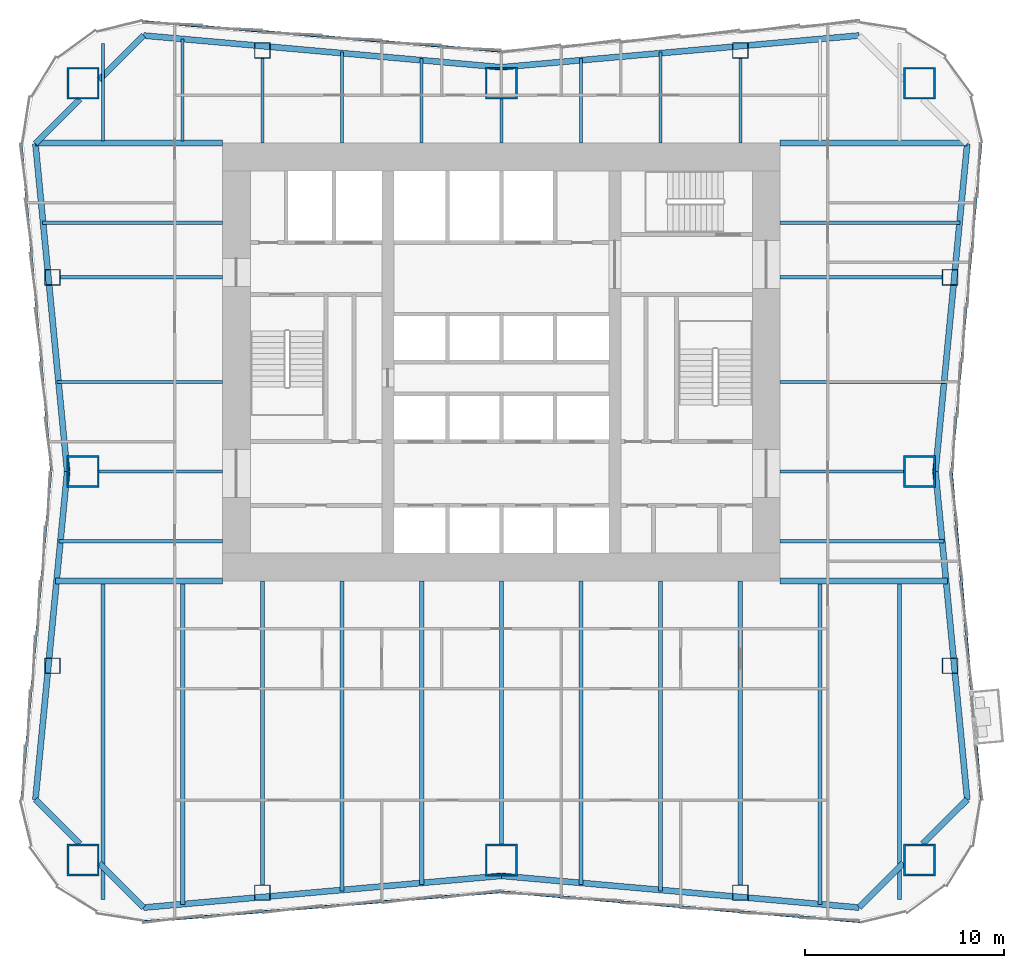
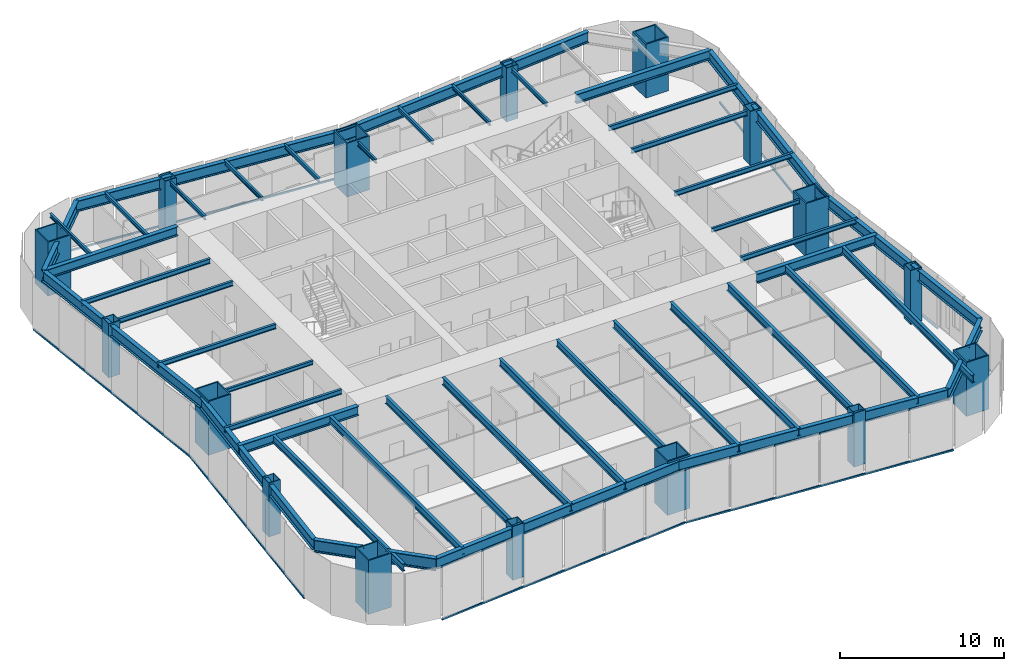
# One storey, part 1 of 9: 48 beams, 16 columns, 8 members, 4 elements without a shape of their own.
"""IFC4 building model written with IfcOpenShell, lengths in metres."""

from ifc_helpers import new_model, si_unit, direction, frame, origin, origin_2d, place, context, subcontext, project, spatial, rectangle, hollow_rectangle, i_section, extrude, material, material_profile, profile_set, type_object, element, aggregate, save


model = new_model("IFC4")

# Units and contexts
model_context = context("Model", 3, precision=1e-05, world=origin(), true_north=direction((0.0, 1.0)))
body_context = subcontext(model_context, "Body", "Model", "MODEL_VIEW")
ifc_project = project(units=[si_unit("LENGTHUNIT", "METRE"), si_unit("AREAUNIT", "SQUARE_METRE"), si_unit("VOLUMEUNIT", "CUBIC_METRE"), si_unit("PLANEANGLEUNIT", "RADIAN"), si_unit("MASSUNIT", "GRAM", prefix="KILO")], contexts=[model_context])

# Site, building, storey
site_placement = place(None, origin())
site = spatial("IfcSite", under=ifc_project, at=site_placement, CompositionType="ELEMENT")
building_placement = place(site_placement, origin())
building = spatial("IfcBuilding", under=site, at=building_placement, Name="Verdant Reach Tower", CompositionType="ELEMENT")
storey_placement = place(building_placement, frame((0.0, 0.0, 30.0)))
storey = spatial("IfcBuildingStorey", under=building, at=storey_placement, Name="L06", CompositionType="ELEMENT", Elevation=30.0)

# Columns
ifc_material_1 = material(Name="Steel S460", Category="steel")
ifc_material_profile_1 = material_profile(ifc_material_1, hollow_rectangle(XDim=1.60009765625, YDim=1.60009765625, WallThickness=0.090087890625, at=origin_2d()), Name="WB 1600x1600x90")
ifc_profile_set_1 = profile_set([ifc_material_profile_1], Name="Steel S460")
column_type_1 = type_object("IfcColumnType", Name="ST-COL-WB1600x1600x90", PredefinedType="COLUMN", material=ifc_profile_set_1)
for number, where, z_axis, x_axis, name in (
    (1, (-21.0, 42.0, 0.0), (0.0, 0.0, 1.0), (1.0, 0.0, 0.0), "Mega column north-west, L06"),
    (2, (0.0, 42.0, 0.0), (0.0, 0.0, 1.0), (1.0, 0.0, 0.0), "Mega column north, L06"),
    (3, (21.0, 42.0, 0.0), (0.0, 0.0, 1.0), (1.0, 0.0, 0.0), "Mega column north-east, L06"),
    (4, (21.0, 22.5, 0.0), (0.0, 0.0, 1.0), (1.0, 0.0, 0.0), "Mega column east, L06"),
    (5, (21.0, 3.0, 0.0), (0.0, 0.0, 1.0), (1.0, 0.0, 0.0), "Mega column south-east, L06"),
    (6, (0.0, 3.0, 0.0), (0.0, 0.0, 1.0), (1.0, 0.0, 0.0), "Mega column south, L06"),
    (7, (-21.0, 3.0, 0.0), (0.0, 0.0, 1.0), (1.0, 0.0, 0.0), "Mega column south-west, L06"),
    (8, (-21.0, 22.5, 0.0), (0.0, 0.0, 1.0), (1.0, 0.0, 0.0), "Mega column west, L06"),
):
    element("IfcColumn", number, at=place(storey_placement, frame(where, z_axis=z_axis, x_axis=x_axis)), inside=storey, type_object=column_type_1, Name=name, PredefinedType="COLUMN", context=body_context, shape_type="SweptSolid", body=[
        extrude(hollow_rectangle(XDim=1.60009765625, YDim=1.60009765625, WallThickness=0.090087890625, at=origin_2d()), origin(), (0.0, 0.0, 1.0), 4.0),
    ])
ifc_material_profile_2 = material_profile(ifc_material_1, hollow_rectangle(XDim=0.800048828125, YDim=0.800048828125, WallThickness=0.0400390625, at=origin_2d()), Name="WB 800x800x40")
ifc_profile_set_2 = profile_set([ifc_material_profile_2], Name="Steel S460")
column_type_2 = type_object("IfcColumnType", Name="ST-COL-WB800x800x40", PredefinedType="COLUMN", material=ifc_profile_set_2)
for number, where, z_axis, x_axis, name in (
    (9, (-12.0, 43.64990234375, 0.0), (0.0, 0.0, 1.0), (1.0, 0.0, 0.0), "Perimeter column north 1, L06"),
    (10, (12.0, 43.64990234375, 0.0), (0.0, 0.0, 1.0), (1.0, 0.0, 0.0), "Perimeter column north 2, L06"),
    (11, (-12.0, 1.35009765625, 0.0), (0.0, 0.0, 1.0), (1.0, 0.0, 0.0), "Perimeter column south 1, L06"),
    (12, (12.0, 1.35009765625, 0.0), (0.0, 0.0, 1.0), (1.0, 0.0, 0.0), "Perimeter column south 2, L06"),
    (13, (22.536376953125, 12.75, 0.0), (0.0, 0.0, 1.0), (1.0, 0.0, 0.0), "Perimeter column east 1, L06"),
    (14, (22.536376953125, 32.25, 0.0), (0.0, 0.0, 1.0), (1.0, 0.0, 0.0), "Perimeter column east 2, L06"),
    (15, (-22.536376953125, 12.75, 0.0), (0.0, 0.0, 1.0), (1.0, 0.0, 0.0), "Perimeter column west 1, L06"),
    (16, (-22.536376953125, 32.25, 0.0), (0.0, 0.0, 1.0), (1.0, 0.0, 0.0), "Perimeter column west 2, L06"),
):
    element("IfcColumn", number, at=place(storey_placement, frame(where, z_axis=z_axis, x_axis=x_axis)), inside=storey, type_object=column_type_2, Name=name, PredefinedType="COLUMN", context=body_context, shape_type="SweptSolid", body=[
        extrude(hollow_rectangle(XDim=0.800048828125, YDim=0.800048828125, WallThickness=0.0400390625, at=origin_2d()), origin(), (0.0, 0.0, 1.0), 4.0),
    ])

# Curtain wall, members
ifc_material_2 = material(Name="Anodised aluminium", Category="aluminium")
curtain_wall_type = type_object("IfcCurtainWallType", Name="EN-CW SYSTEM Z0", PredefinedType="NOTDEFINED", material=ifc_material_2)
curtain_wall_1_placement = place(storey_placement, origin())
curtain_wall_1 = element("IfcCurtainWall", 17, at=curtain_wall_1_placement, inside=storey, type_object=curtain_wall_type, Name="Curtain wall east, L06", PredefinedType="NOTDEFINED")
ifc_material_profile_3 = material_profile(ifc_material_2, rectangle(XDim=0.10009765625, YDim=0.1201171875, at=origin_2d()), Name="Transom 120x100")
ifc_profile_set_3 = profile_set([ifc_material_profile_3], Name="Anodised aluminium")
member_type = type_object("IfcMemberType", Name="EN-TRANSOM Z0", PredefinedType="USERDEFINED", material=ifc_profile_set_3)
member_1_placement = place(storey_placement, frame((24.09716796875, 6.024658203125, -0.2900390625), z_axis=(-0.090170976609, 0.995926299973, 0.0), x_axis=(-0.995926299973, -0.090170976609, 0.0)))
member_1 = element("IfcMember", 18, at=member_1_placement, type_object=member_type, Name="Transom east face part 1 1.1, L06", ObjectType="TRANSOM", PredefinedType="USERDEFINED", context=body_context, shape_type="SweptSolid", body=[
    extrude(rectangle(XDim=0.10009765625, YDim=0.1201171875, at=origin_2d()), origin(), (0.0, 0.0, 1.0), 2.715576171875),
])
member_2_placement = place(storey_placement, frame((23.596923828125, 11.538818359375, -0.2900390625), z_axis=(-0.090569838391, 0.995890106575, 0.0), x_axis=(-0.995890106575, -0.090569838391, 0.0)))
member_2 = element("IfcMember", 19, at=member_2_placement, type_object=member_type, Name="Transom east face part 1 2.1, L06", ObjectType="TRANSOM", PredefinedType="USERDEFINED", context=body_context, shape_type="SweptSolid", body=[
    extrude(rectangle(XDim=0.10009765625, YDim=0.1201171875, at=origin_2d()), origin(), (0.0, 0.0, 1.0), 10.9765625),
])
member_3_placement = place(storey_placement, frame((22.602783203125, 22.52978515625, -0.2900390625), z_axis=(0.090495755184, 0.995896841191, 0.0), x_axis=(-0.995896841191, 0.090495755184, 0.0)))
member_3 = element("IfcMember", 20, at=member_3_placement, type_object=member_type, Name="Transom east face part 2 1.1, L06", ObjectType="TRANSOM", PredefinedType="USERDEFINED", context=body_context, shape_type="SweptSolid", body=[
    extrude(rectangle(XDim=0.10009765625, YDim=0.1201171875, at=origin_2d()), origin(), (0.0, 0.0, 1.0), 16.513427734375),
])
aggregate(curtain_wall_1, [member_1, member_2, member_3])

# Curtain wall, member
curtain_wall_2_placement = place(storey_placement, origin())
curtain_wall_2 = element("IfcCurtainWall", 21, at=curtain_wall_2_placement, inside=storey, type_object=curtain_wall_type, Name="Curtain wall north, L06", PredefinedType="NOTDEFINED")
member_4_placement = place(storey_placement, frame((-0.02978515625, 43.6025390625, -0.2900390625), z_axis=(-0.996548656072, 0.083010698588, 0.0), x_axis=(-0.083010698588, -0.996548656072, 0.0)))
member_4 = element("IfcMember", 22, at=member_4_placement, type_object=member_type, Name="Transom north face part 2 1.1, L06", ObjectType="TRANSOM", PredefinedType="USERDEFINED", context=body_context, shape_type="SweptSolid", body=[
    extrude(rectangle(XDim=0.10009765625, YDim=0.1201171875, at=origin_2d()), origin(), (0.0, 0.0, 1.0), 18.00830078125),
])
aggregate(curtain_wall_2, [member_4])

# Curtain wall, members
curtain_wall_3_placement = place(storey_placement, origin())
curtain_wall_3 = element("IfcCurtainWall", 23, at=curtain_wall_3_placement, inside=storey, type_object=curtain_wall_type, Name="Curtain wall west, L06", PredefinedType="NOTDEFINED")
member_5_placement = place(storey_placement, frame((-24.09716796875, 38.975341796875, -0.2900390625), z_axis=(0.090495755184, -0.995896841191, 0.0), x_axis=(0.995896841191, 0.090495755184, 0.0)))
member_5 = element("IfcMember", 24, at=member_5_placement, type_object=member_type, Name="Transom west face part 1 1.1, L06", ObjectType="TRANSOM", PredefinedType="USERDEFINED", context=body_context, shape_type="SweptSolid", body=[
    extrude(rectangle(XDim=0.10009765625, YDim=0.1201171875, at=origin_2d()), origin(), (0.0, 0.0, 1.0), 16.513427734375),
])
member_6_placement = place(storey_placement, frame((-22.602783203125, 22.47021484375, -0.2900390625), z_axis=(-0.090495755184, -0.995896841191, 0.0), x_axis=(0.995896841191, -0.090495755184, 0.0)))
member_6 = element("IfcMember", 25, at=member_6_placement, type_object=member_type, Name="Transom west face part 2 1.1, L06", ObjectType="TRANSOM", PredefinedType="USERDEFINED", context=body_context, shape_type="SweptSolid", body=[
    extrude(rectangle(XDim=0.10009765625, YDim=0.1201171875, at=origin_2d()), origin(), (0.0, 0.0, 1.0), 16.513427734375),
])
aggregate(curtain_wall_3, [member_5, member_6])

curtain_wall_4_placement = place(storey_placement, origin())
curtain_wall_4 = element("IfcCurtainWall", 26, at=curtain_wall_4_placement, inside=storey, type_object=curtain_wall_type, Name="Curtain wall south, L06", PredefinedType="NOTDEFINED")
member_7_placement = place(storey_placement, frame((-17.975830078125, -0.097412109375, -0.2900390625), z_axis=(0.996548656072, 0.083010698588, 0.0), x_axis=(-0.083010698588, 0.996548656072, 0.0)))
member_7 = element("IfcMember", 27, at=member_7_placement, type_object=member_type, Name="Transom south face part 1 1.1, L06", ObjectType="TRANSOM", PredefinedType="USERDEFINED", context=body_context, shape_type="SweptSolid", body=[
    extrude(rectangle(XDim=0.10009765625, YDim=0.1201171875, at=origin_2d()), origin(), (0.0, 0.0, 1.0), 18.00830078125),
])
member_8_placement = place(storey_placement, frame((0.02978515625, 1.3974609375, -0.2900390625), z_axis=(0.996548656072, -0.083010698588, 0.0), x_axis=(0.083010698588, 0.996548656072, 0.0)))
member_8 = element("IfcMember", 28, at=member_8_placement, type_object=member_type, Name="Transom south face part 2 1.1, L06", ObjectType="TRANSOM", PredefinedType="USERDEFINED", context=body_context, shape_type="SweptSolid", body=[
    extrude(rectangle(XDim=0.10009765625, YDim=0.1201171875, at=origin_2d()), origin(), (0.0, 0.0, 1.0), 18.00830078125),
])
aggregate(curtain_wall_4, [member_7, member_8])

# Beams
ifc_material_3 = material(Name="Steel S355", Category="steel")
ifc_material_profile_4 = material_profile(ifc_material_3, i_section(OverallWidth=0.300048828125, OverallDepth=0.699951171875, WebThickness=0.01708984375, FlangeThickness=0.031982421875, FilletRadius=0.027099609375, at=origin_2d()), Name="HEB 700")
ifc_profile_set_4 = profile_set([ifc_material_profile_4], Name="Steel S355")
beam_type_1 = type_object("IfcBeamType", Name="ST-BEAM-HEB700", PredefinedType="BEAM", material=ifc_profile_set_4)
for number, where, z_axis, x_axis, name in (
    (29, (14.0, 39.0, 3.52001953125), (1.0, 0.0, 0.0), (0.0, 1.0, 0.0), "Trimmer beam, L06"),
    (30, (-14.0, 39.0, 3.52001953125), (-1.0, 0.0, 0.0), (0.0, -1.0, 0.0), "Trimmer beam, L06"),
):
    element("IfcBeam", number, at=place(storey_placement, frame(where, z_axis=z_axis, x_axis=x_axis)), inside=storey, type_object=beam_type_1, Name=name, PredefinedType="BEAM", context=body_context, shape_type="SweptSolid", body=[
        extrude(i_section(OverallWidth=0.300048828125, OverallDepth=0.699951171875, WebThickness=0.01708984375, FlangeThickness=0.031982421875, FilletRadius=0.027099609375, at=origin_2d()), origin(), (0.0, 0.0, 1.0), 9.38818359375),
    ])
for number, where, z_axis, x_axis, name in (
    (31, (14.0, 17.0, 3.52001953125), (1.0, 0.0, 0.0), (0.0, 1.0, 0.0), "Trimmer beam, L06"),
    (32, (-14.0, 17.0, 3.52001953125), (-1.0, 0.0, 0.0), (0.0, -1.0, 0.0), "Trimmer beam, L06"),
):
    element("IfcBeam", number, at=place(storey_placement, frame(where, z_axis=z_axis, x_axis=x_axis)), inside=storey, type_object=beam_type_1, Name=name, PredefinedType="BEAM", context=body_context, shape_type="SweptSolid", body=[
        extrude(i_section(OverallWidth=0.300048828125, OverallDepth=0.699951171875, WebThickness=0.01708984375, FlangeThickness=0.031982421875, FilletRadius=0.027099609375, at=origin_2d()), origin(), (0.0, 0.0, 1.0), 8.3974609375),
    ])
ifc_material_profile_5 = material_profile(ifc_material_3, i_section(OverallWidth=0.14990234375, OverallDepth=0.300048828125, WebThickness=0.007080078125, FlangeThickness=0.0107421875, FilletRadius=0.014892578125, at=origin_2d()), Name="IPE 300")
ifc_profile_set_5 = profile_set([ifc_material_profile_5], Name="Steel S355")
beam_type_2 = type_object("IfcBeamType", Name="ST-JOIST-IPE300", PredefinedType="JOIST", material=ifc_profile_set_5)
beam_1_placement = place(storey_placement, frame((-20.0, 39.10009765625, 3.719970703125), z_axis=(0.0, 1.0, 0.0), x_axis=(-1.0, 0.0, 0.0)))
element("IfcBeam", 33, at=beam_1_placement, inside=storey, type_object=beam_type_2, Name="Floor joist, L06", PredefinedType="JOIST", context=body_context, shape_type="SweptSolid", body=[
    extrude(i_section(OverallWidth=0.14990234375, OverallDepth=0.300048828125, WebThickness=0.007080078125, FlangeThickness=0.0107421875, FilletRadius=0.014892578125, at=origin_2d()), origin(), (0.0, 0.0, 1.0), 4.890380859375),
])
beam_2_placement = place(storey_placement, frame((-16.0, 39.10009765625, 3.719970703125), z_axis=(0.0, 1.0, 0.0), x_axis=(-1.0, 0.0, 0.0)))
element("IfcBeam", 34, at=beam_2_placement, inside=storey, type_object=beam_type_2, Name="Floor joist, L06", PredefinedType="JOIST", context=body_context, shape_type="SweptSolid", body=[
    extrude(i_section(OverallWidth=0.14990234375, OverallDepth=0.300048828125, WebThickness=0.007080078125, FlangeThickness=0.0107421875, FilletRadius=0.014892578125, at=origin_2d()), origin(), (0.0, 0.0, 1.0), 5.131103515625),
])
beam_3_placement = place(storey_placement, frame((-12.0, 39.0, 3.719970703125), z_axis=(0.0, 1.0, 0.0), x_axis=(-1.0, 0.0, 0.0)))
element("IfcBeam", 35, at=beam_3_placement, inside=storey, type_object=beam_type_2, Name="Floor joist, L06", PredefinedType="JOIST", context=body_context, shape_type="SweptSolid", body=[
    extrude(i_section(OverallWidth=0.14990234375, OverallDepth=0.300048828125, WebThickness=0.007080078125, FlangeThickness=0.0107421875, FilletRadius=0.014892578125, at=origin_2d()), origin(), (0.0, 0.0, 1.0), 4.25),
])
beam_4_placement = place(storey_placement, frame((-8.0, 39.0, 3.719970703125), z_axis=(0.0, 1.0, 0.0), x_axis=(-1.0, 0.0, 0.0)))
element("IfcBeam", 36, at=beam_4_placement, inside=storey, type_object=beam_type_2, Name="Floor joist, L06", PredefinedType="JOIST", context=body_context, shape_type="SweptSolid", body=[
    extrude(i_section(OverallWidth=0.14990234375, OverallDepth=0.300048828125, WebThickness=0.007080078125, FlangeThickness=0.0107421875, FilletRadius=0.014892578125, at=origin_2d()), origin(), (0.0, 0.0, 1.0), 4.564697265625),
])
beam_5_placement = place(storey_placement, frame((-4.0, 39.0, 3.719970703125), z_axis=(0.0, 1.0, 0.0), x_axis=(-1.0, 0.0, 0.0)))
element("IfcBeam", 37, at=beam_5_placement, inside=storey, type_object=beam_type_2, Name="Floor joist, L06", PredefinedType="JOIST", context=body_context, shape_type="SweptSolid", body=[
    extrude(i_section(OverallWidth=0.14990234375, OverallDepth=0.300048828125, WebThickness=0.007080078125, FlangeThickness=0.0107421875, FilletRadius=0.014892578125, at=origin_2d()), origin(), (0.0, 0.0, 1.0), 4.231201171875),
])
beam_6_placement = place(storey_placement, frame((0.0, 39.0, 3.719970703125), z_axis=(0.0, 1.0, 0.0), x_axis=(-1.0, 0.0, 0.0)))
element("IfcBeam", 38, at=beam_6_placement, inside=storey, type_object=beam_type_2, Name="Floor joist, L06", PredefinedType="JOIST", context=body_context, shape_type="SweptSolid", body=[
    extrude(i_section(OverallWidth=0.14990234375, OverallDepth=0.300048828125, WebThickness=0.007080078125, FlangeThickness=0.0107421875, FilletRadius=0.014892578125, at=origin_2d()), origin(), (0.0, 0.0, 1.0), 2.199951171875),
])
beam_7_placement = place(storey_placement, frame((4.0, 39.0, 3.719970703125), z_axis=(0.0, 1.0, 0.0), x_axis=(-1.0, 0.0, 0.0)))
element("IfcBeam", 39, at=beam_7_placement, inside=storey, type_object=beam_type_2, Name="Floor joist, L06", PredefinedType="JOIST", context=body_context, shape_type="SweptSolid", body=[
    extrude(i_section(OverallWidth=0.14990234375, OverallDepth=0.300048828125, WebThickness=0.007080078125, FlangeThickness=0.0107421875, FilletRadius=0.014892578125, at=origin_2d()), origin(), (0.0, 0.0, 1.0), 4.231201171875),
])
beam_8_placement = place(storey_placement, frame((8.0, 39.0, 3.719970703125), z_axis=(0.0, 1.0, 0.0), x_axis=(-1.0, 0.0, 0.0)))
element("IfcBeam", 40, at=beam_8_placement, inside=storey, type_object=beam_type_2, Name="Floor joist, L06", PredefinedType="JOIST", context=body_context, shape_type="SweptSolid", body=[
    extrude(i_section(OverallWidth=0.14990234375, OverallDepth=0.300048828125, WebThickness=0.007080078125, FlangeThickness=0.0107421875, FilletRadius=0.014892578125, at=origin_2d()), origin(), (0.0, 0.0, 1.0), 4.564697265625),
])
beam_9_placement = place(storey_placement, frame((12.0, 39.0, 3.719970703125), z_axis=(0.0, 1.0, 0.0), x_axis=(-1.0, 0.0, 0.0)))
element("IfcBeam", 41, at=beam_9_placement, inside=storey, type_object=beam_type_2, Name="Floor joist, L06", PredefinedType="JOIST", context=body_context, shape_type="SweptSolid", body=[
    extrude(i_section(OverallWidth=0.14990234375, OverallDepth=0.300048828125, WebThickness=0.007080078125, FlangeThickness=0.0107421875, FilletRadius=0.014892578125, at=origin_2d()), origin(), (0.0, 0.0, 1.0), 4.25),
])
for number, where, z_axis, x_axis, name in (
    (42, (14.0, 22.5, 3.719970703125), (1.0, 0.0, 0.0), (0.0, 1.0, 0.0), "Floor joist, L06"),
    (43, (-14.0, 22.5, 3.719970703125), (-1.0, 0.0, 0.0), (0.0, -1.0, 0.0), "Floor joist, L06"),
):
    element("IfcBeam", number, at=place(storey_placement, frame(where, z_axis=z_axis, x_axis=x_axis)), inside=storey, type_object=beam_type_2, Name=name, PredefinedType="JOIST", context=body_context, shape_type="SweptSolid", body=[
        extrude(i_section(OverallWidth=0.14990234375, OverallDepth=0.300048828125, WebThickness=0.007080078125, FlangeThickness=0.0107421875, FilletRadius=0.014892578125, at=origin_2d()), origin(), (0.0, 0.0, 1.0), 6.199951171875),
    ])
ifc_material_profile_6 = material_profile(ifc_material_3, i_section(OverallWidth=0.169921875, OverallDepth=0.360107421875, WebThickness=0.008056640625, FlangeThickness=0.0126953125, FilletRadius=0.01806640625, at=origin_2d()), Name="IPE 360")
ifc_profile_set_6 = profile_set([ifc_material_profile_6], Name="Steel S355")
beam_type_3 = type_object("IfcBeamType", Name="ST-JOIST-IPE360", PredefinedType="JOIST", material=ifc_profile_set_6)
for number, where, z_axis, x_axis, name in (
    (44, (14.0, 19.0, 3.68994140625), (1.0, 0.0, 0.0), (0.0, 1.0, 0.0), "Floor joist, L06"),
    (45, (-14.0, 19.0, 3.68994140625), (-1.0, 0.0, 0.0), (0.0, -1.0, 0.0), "Floor joist, L06"),
):
    element("IfcBeam", number, at=place(storey_placement, frame(where, z_axis=z_axis, x_axis=x_axis)), inside=storey, type_object=beam_type_3, Name=name, PredefinedType="JOIST", context=body_context, shape_type="SweptSolid", body=[
        extrude(i_section(OverallWidth=0.169921875, OverallDepth=0.360107421875, WebThickness=0.008056640625, FlangeThickness=0.0126953125, FilletRadius=0.01806640625, at=origin_2d()), origin(), (0.0, 0.0, 1.0), 8.2158203125),
    ])
for number, where, z_axis, x_axis, name in (
    (46, (14.0, 27.0, 3.68994140625), (1.0, 0.0, 0.0), (0.0, 1.0, 0.0), "Floor joist, L06"),
    (47, (-14.0, 27.0, 3.68994140625), (-1.0, 0.0, 0.0), (0.0, -1.0, 0.0), "Floor joist, L06"),
):
    element("IfcBeam", number, at=place(storey_placement, frame(where, z_axis=z_axis, x_axis=x_axis)), inside=storey, type_object=beam_type_3, Name=name, PredefinedType="JOIST", context=body_context, shape_type="SweptSolid", body=[
        extrude(i_section(OverallWidth=0.169921875, OverallDepth=0.360107421875, WebThickness=0.008056640625, FlangeThickness=0.0126953125, FilletRadius=0.01806640625, at=origin_2d()), origin(), (0.0, 0.0, 1.0), 8.306640625),
    ])
for number, where, z_axis, x_axis, name in (
    (48, (14.0, 32.25, 3.68994140625), (1.0, 0.0, 0.0), (0.0, 1.0, 0.0), "Floor joist, L06"),
    (49, (-14.0, 32.25, 3.68994140625), (-1.0, 0.0, 0.0), (0.0, -1.0, 0.0), "Floor joist, L06"),
):
    element("IfcBeam", number, at=place(storey_placement, frame(where, z_axis=z_axis, x_axis=x_axis)), inside=storey, type_object=beam_type_3, Name=name, PredefinedType="JOIST", context=body_context, shape_type="SweptSolid", body=[
        extrude(i_section(OverallWidth=0.169921875, OverallDepth=0.360107421875, WebThickness=0.008056640625, FlangeThickness=0.0126953125, FilletRadius=0.01806640625, at=origin_2d()), origin(), (0.0, 0.0, 1.0), 8.136474609375),
    ])
for number, where, z_axis, x_axis, name in (
    (50, (14.0, 35.0, 3.68994140625), (1.0, 0.0, 0.0), (0.0, 1.0, 0.0), "Floor joist, L06"),
    (51, (-14.0, 35.0, 3.68994140625), (-1.0, 0.0, 0.0), (0.0, -1.0, 0.0), "Floor joist, L06"),
):
    element("IfcBeam", number, at=place(storey_placement, frame(where, z_axis=z_axis, x_axis=x_axis)), inside=storey, type_object=beam_type_3, Name=name, PredefinedType="JOIST", context=body_context, shape_type="SweptSolid", body=[
        extrude(i_section(OverallWidth=0.169921875, OverallDepth=0.360107421875, WebThickness=0.008056640625, FlangeThickness=0.0126953125, FilletRadius=0.01806640625, at=origin_2d()), origin(), (0.0, 0.0, 1.0), 9.033935546875),
    ])
ifc_material_profile_7 = material_profile(ifc_material_3, i_section(OverallWidth=0.199951171875, OverallDepth=0.5, WebThickness=0.01025390625, FlangeThickness=0.01611328125, FilletRadius=0.02099609375, at=origin_2d()), Name="IPE 500")
ifc_profile_set_7 = profile_set([ifc_material_profile_7], Name="Steel S355")
beam_type_4 = type_object("IfcBeamType", Name="ST-JOIST-IPE500", PredefinedType="JOIST", material=ifc_profile_set_7)
beam_10_placement = place(storey_placement, frame((0.0, 17.0, 3.6201171875), z_axis=(0.0, -1.0, 0.0), x_axis=(1.0, 0.0, 0.0)))
element("IfcBeam", 52, at=beam_10_placement, inside=storey, type_object=beam_type_4, Name="Floor joist, L06", PredefinedType="JOIST", context=body_context, shape_type="SweptSolid", body=[
    extrude(i_section(OverallWidth=0.199951171875, OverallDepth=0.5, WebThickness=0.01025390625, FlangeThickness=0.01611328125, FilletRadius=0.02099609375, at=origin_2d()), origin(), (0.0, 0.0, 1.0), 13.199951171875),
])
ifc_material_profile_8 = material_profile(ifc_material_3, i_section(OverallWidth=0.2099609375, OverallDepth=0.550048828125, WebThickness=0.010986328125, FlangeThickness=0.01708984375, FilletRadius=0.02392578125, at=origin_2d()), Name="IPE 550")
ifc_profile_set_8 = profile_set([ifc_material_profile_8], Name="Steel S355")
beam_type_5 = type_object("IfcBeamType", Name="ST-JOIST-IPE550", PredefinedType="JOIST", material=ifc_profile_set_8)
beam_11_placement = place(storey_placement, frame((-20.0, 16.89990234375, 3.594970703125), z_axis=(0.0, -1.0, 0.0), x_axis=(1.0, 0.0, 0.0)))
element("IfcBeam", 53, at=beam_11_placement, inside=storey, type_object=beam_type_5, Name="Floor joist, L06", PredefinedType="JOIST", context=body_context, shape_type="SweptSolid", body=[
    extrude(i_section(OverallWidth=0.2099609375, OverallDepth=0.550048828125, WebThickness=0.010986328125, FlangeThickness=0.01708984375, FilletRadius=0.02392578125, at=origin_2d()), origin(), (0.0, 0.0, 1.0), 15.890380859375),
])
beam_12_placement = place(storey_placement, frame((-16.0, 16.89990234375, 3.594970703125), z_axis=(0.0, -1.0, 0.0), x_axis=(1.0, 0.0, 0.0)))
element("IfcBeam", 54, at=beam_12_placement, inside=storey, type_object=beam_type_5, Name="Floor joist, L06", PredefinedType="JOIST", context=body_context, shape_type="SweptSolid", body=[
    extrude(i_section(OverallWidth=0.2099609375, OverallDepth=0.550048828125, WebThickness=0.010986328125, FlangeThickness=0.01708984375, FilletRadius=0.02392578125, at=origin_2d()), origin(), (0.0, 0.0, 1.0), 16.131103515625),
])
beam_13_placement = place(storey_placement, frame((-12.0, 17.0, 3.594970703125), z_axis=(0.0, -1.0, 0.0), x_axis=(1.0, 0.0, 0.0)))
element("IfcBeam", 55, at=beam_13_placement, inside=storey, type_object=beam_type_5, Name="Floor joist, L06", PredefinedType="JOIST", context=body_context, shape_type="SweptSolid", body=[
    extrude(i_section(OverallWidth=0.2099609375, OverallDepth=0.550048828125, WebThickness=0.010986328125, FlangeThickness=0.01708984375, FilletRadius=0.02392578125, at=origin_2d()), origin(), (0.0, 0.0, 1.0), 15.25),
])
beam_14_placement = place(storey_placement, frame((-8.0, 17.0, 3.594970703125), z_axis=(0.0, -1.0, 0.0), x_axis=(1.0, 0.0, 0.0)))
element("IfcBeam", 56, at=beam_14_placement, inside=storey, type_object=beam_type_5, Name="Floor joist, L06", PredefinedType="JOIST", context=body_context, shape_type="SweptSolid", body=[
    extrude(i_section(OverallWidth=0.2099609375, OverallDepth=0.550048828125, WebThickness=0.010986328125, FlangeThickness=0.01708984375, FilletRadius=0.02392578125, at=origin_2d()), origin(), (0.0, 0.0, 1.0), 15.564697265625),
])
for number, where, z_axis, x_axis, name in (
    (57, (-4.0, 17.0, 3.594970703125), (0.0, -1.0, 0.0), (1.0, 0.0, 0.0), "Floor joist, L06"),
    (58, (4.0, 17.0, 3.594970703125), (0.0, -1.0, 0.0), (1.0, 0.0, 0.0), "Floor joist, L06"),
):
    element("IfcBeam", number, at=place(storey_placement, frame(where, z_axis=z_axis, x_axis=x_axis)), inside=storey, type_object=beam_type_5, Name=name, PredefinedType="JOIST", context=body_context, shape_type="SweptSolid", body=[
        extrude(i_section(OverallWidth=0.2099609375, OverallDepth=0.550048828125, WebThickness=0.010986328125, FlangeThickness=0.01708984375, FilletRadius=0.02392578125, at=origin_2d()), origin(), (0.0, 0.0, 1.0), 15.231201171875),
    ])
beam_15_placement = place(storey_placement, frame((8.0, 17.0, 3.594970703125), z_axis=(0.0, -1.0, 0.0), x_axis=(1.0, 0.0, 0.0)))
element("IfcBeam", 59, at=beam_15_placement, inside=storey, type_object=beam_type_5, Name="Floor joist, L06", PredefinedType="JOIST", context=body_context, shape_type="SweptSolid", body=[
    extrude(i_section(OverallWidth=0.2099609375, OverallDepth=0.550048828125, WebThickness=0.010986328125, FlangeThickness=0.01708984375, FilletRadius=0.02392578125, at=origin_2d()), origin(), (0.0, 0.0, 1.0), 15.564697265625),
])
beam_16_placement = place(storey_placement, frame((12.0, 17.0, 3.594970703125), z_axis=(0.0, -1.0, 0.0), x_axis=(1.0, 0.0, 0.0)))
element("IfcBeam", 60, at=beam_16_placement, inside=storey, type_object=beam_type_5, Name="Floor joist, L06", PredefinedType="JOIST", context=body_context, shape_type="SweptSolid", body=[
    extrude(i_section(OverallWidth=0.2099609375, OverallDepth=0.550048828125, WebThickness=0.010986328125, FlangeThickness=0.01708984375, FilletRadius=0.02392578125, at=origin_2d()), origin(), (0.0, 0.0, 1.0), 15.25),
])
beam_17_placement = place(storey_placement, frame((16.0, 16.89990234375, 3.594970703125), z_axis=(0.0, -1.0, 0.0), x_axis=(1.0, 0.0, 0.0)))
element("IfcBeam", 61, at=beam_17_placement, inside=storey, type_object=beam_type_5, Name="Floor joist, L06", PredefinedType="JOIST", context=body_context, shape_type="SweptSolid", body=[
    extrude(i_section(OverallWidth=0.2099609375, OverallDepth=0.550048828125, WebThickness=0.010986328125, FlangeThickness=0.01708984375, FilletRadius=0.02392578125, at=origin_2d()), origin(), (0.0, 0.0, 1.0), 16.131103515625),
])
beam_18_placement = place(storey_placement, frame((20.0, 16.89990234375, 3.594970703125), z_axis=(0.0, -1.0, 0.0), x_axis=(1.0, 0.0, 0.0)))
element("IfcBeam", 62, at=beam_18_placement, inside=storey, type_object=beam_type_5, Name="Floor joist, L06", PredefinedType="JOIST", context=body_context, shape_type="SweptSolid", body=[
    extrude(i_section(OverallWidth=0.2099609375, OverallDepth=0.550048828125, WebThickness=0.010986328125, FlangeThickness=0.01708984375, FilletRadius=0.02392578125, at=origin_2d()), origin(), (0.0, 0.0, 1.0), 15.890380859375),
])
ifc_material_profile_9 = material_profile(ifc_material_3, i_section(OverallWidth=0.300048828125, OverallDepth=0.800048828125, WebThickness=0.017578125, FlangeThickness=0.032958984375, FilletRadius=0.030029296875, at=origin_2d()), Name="HEB 800")
ifc_profile_set_9 = profile_set([ifc_material_profile_9], Name="Steel S355")
beam_type_6 = type_object("IfcBeamType", Name="ST-SPANDREL-HEB800", PredefinedType="SPANDREL", material=ifc_profile_set_9)
for number, where, z_axis, x_axis, name in (
    (63, (17.9658203125, 0.60498046875, 3.469970703125), (-0.996082370463, 0.088430262084, 0.0), (-0.088430262084, -0.996082370463, 0.0), "Edge beam, L06"),
    (64, (0.0, 2.199951171875, 3.469970703125), (-0.996082370463, -0.088430262084, 0.0), (0.088430262084, -0.996082370463, 0.0), "Edge beam, L06"),
):
    element("IfcBeam", number, at=place(storey_placement, frame(where, z_axis=z_axis, x_axis=x_axis)), inside=storey, type_object=beam_type_6, Name=name, PredefinedType="SPANDREL", context=body_context, shape_type="SweptSolid", body=[
        extrude(i_section(OverallWidth=0.300048828125, OverallDepth=0.800048828125, WebThickness=0.017578125, FlangeThickness=0.032958984375, FilletRadius=0.030029296875, at=origin_2d()), origin(), (0.0, 0.0, 1.0), 18.036376953125),
    ])
for number, where, z_axis, x_axis, name in (
    (65, (-23.39453125, 6.031982421875, 3.469970703125), (0.096372296695, 0.995345357366, 0.0), (-0.995345357366, 0.096372296695, 0.0), "Edge beam, L06"),
    (66, (-21.800048828125, 22.5, 3.469970703125), (-0.096372296695, 0.995345357366, 0.0), (-0.995345357366, -0.096372296695, 0.0), "Edge beam, L06"),
):
    element("IfcBeam", number, at=place(storey_placement, frame(where, z_axis=z_axis, x_axis=x_axis)), inside=storey, type_object=beam_type_6, Name=name, PredefinedType="SPANDREL", context=body_context, shape_type="SweptSolid", body=[
        extrude(i_section(OverallWidth=0.300048828125, OverallDepth=0.800048828125, WebThickness=0.017578125, FlangeThickness=0.032958984375, FilletRadius=0.030029296875, at=origin_2d()), origin(), (0.0, 0.0, 1.0), 16.544921875),
    ])
for number, where, z_axis, x_axis, name in (
    (67, (-17.9658203125, 44.39501953125, 3.469970703125), (0.996082370463, -0.088430262084, 0.0), (0.088430262084, 0.996082370463, 0.0), "Edge beam, L06"),
    (68, (0.0, 42.800048828125, 3.469970703125), (0.996082370463, 0.088430262084, 0.0), (-0.088430262084, 0.996082370463, 0.0), "Edge beam, L06"),
):
    element("IfcBeam", number, at=place(storey_placement, frame(where, z_axis=z_axis, x_axis=x_axis)), inside=storey, type_object=beam_type_6, Name=name, PredefinedType="SPANDREL", context=body_context, shape_type="SweptSolid", body=[
        extrude(i_section(OverallWidth=0.300048828125, OverallDepth=0.800048828125, WebThickness=0.017578125, FlangeThickness=0.032958984375, FilletRadius=0.030029296875, at=origin_2d()), origin(), (0.0, 0.0, 1.0), 18.036376953125),
    ])
for number, where, z_axis, x_axis, name in (
    (69, (23.39453125, 38.968017578125, 3.469970703125), (-0.096372296695, -0.995345357366, 0.0), (0.995345357366, -0.096372296695, 0.0), "Edge beam, L06"),
    (70, (21.800048828125, 22.5, 3.469970703125), (0.096372296695, -0.995345357366, 0.0), (0.995345357366, 0.096372296695, 0.0), "Edge beam, L06"),
):
    element("IfcBeam", number, at=place(storey_placement, frame(where, z_axis=z_axis, x_axis=x_axis)), inside=storey, type_object=beam_type_6, Name=name, PredefinedType="SPANDREL", context=body_context, shape_type="SweptSolid", body=[
        extrude(i_section(OverallWidth=0.300048828125, OverallDepth=0.800048828125, WebThickness=0.017578125, FlangeThickness=0.032958984375, FilletRadius=0.030029296875, at=origin_2d()), origin(), (0.0, 0.0, 1.0), 16.544921875),
    ])
ifc_material_profile_10 = material_profile(ifc_material_3, i_section(OverallWidth=0.302001953125, OverallDepth=0.909912109375, WebThickness=0.02099609375, FlangeThickness=0.0400390625, FilletRadius=0.030029296875, at=origin_2d()), Name="HEM 900")
ifc_profile_set_10 = profile_set([ifc_material_profile_10], Name="Steel S355")
beam_type_7 = type_object("IfcBeamType", Name="ST-SPANDREL-HEM900", PredefinedType="SPANDREL", material=ifc_profile_set_10)
beam_19_placement = place(storey_placement, frame((-17.9658203125, 0.60498046875, 3.4150390625), z_axis=(-0.707222697162, 0.706990846206, 0.0), x_axis=(-0.706990846206, -0.707222697162, 0.0)))
element("IfcBeam", 71, at=beam_19_placement, inside=storey, type_object=beam_type_7, Name="Edge beam, L06", PredefinedType="SPANDREL", context=body_context, shape_type="SweptSolid", body=[
    extrude(i_section(OverallWidth=0.302001953125, OverallDepth=0.909912109375, WebThickness=0.02099609375, FlangeThickness=0.0400390625, FilletRadius=0.030029296875, at=origin_2d()), origin(), (0.0, 0.0, 1.0), 3.158935546875),
])
for number, where, z_axis, x_axis, name in (
    (72, (-21.161865234375, 3.800048828125, 3.4150390625), (-0.70722277322, 0.706990770123, 0.0), (-0.706990770123, -0.70722277322, 0.0), "Edge beam, L06"),
    (73, (-23.39453125, 38.968017578125, 3.4150390625), (0.70722277322, 0.706990770123, 0.0), (-0.706990770123, 0.70722277322, 0.0), "Edge beam, L06"),
):
    element("IfcBeam", number, at=place(storey_placement, frame(where, z_axis=z_axis, x_axis=x_axis)), inside=storey, type_object=beam_type_7, Name=name, PredefinedType="SPANDREL", context=body_context, shape_type="SweptSolid", body=[
        extrude(i_section(OverallWidth=0.302001953125, OverallDepth=0.909912109375, WebThickness=0.02099609375, FlangeThickness=0.0400390625, FilletRadius=0.030029296875, at=origin_2d()), origin(), (0.0, 0.0, 1.0), 3.156982421875),
    ])
beam_20_placement = place(storey_placement, frame((-20.199951171875, 42.16162109375, 3.4150390625), z_axis=(0.707222697162, 0.706990846206, 0.0), x_axis=(-0.706990846206, 0.707222697162, 0.0)))
element("IfcBeam", 74, at=beam_20_placement, inside=storey, type_object=beam_type_7, Name="Edge beam, L06", PredefinedType="SPANDREL", context=body_context, shape_type="SweptSolid", body=[
    extrude(i_section(OverallWidth=0.302001953125, OverallDepth=0.909912109375, WebThickness=0.02099609375, FlangeThickness=0.0400390625, FilletRadius=0.030029296875, at=origin_2d()), origin(), (0.0, 0.0, 1.0), 3.158935546875),
])
beam_21_placement = place(storey_placement, frame((23.39453125, 6.031982421875, 3.4150390625), z_axis=(-0.70722277322, -0.706990770123, 0.0), x_axis=(0.706990770123, -0.70722277322, 0.0)))
element("IfcBeam", 75, at=beam_21_placement, inside=storey, type_object=beam_type_7, Name="Edge beam, L06", PredefinedType="SPANDREL", context=body_context, shape_type="SweptSolid", body=[
    extrude(i_section(OverallWidth=0.302001953125, OverallDepth=0.909912109375, WebThickness=0.02099609375, FlangeThickness=0.0400390625, FilletRadius=0.030029296875, at=origin_2d()), origin(), (0.0, 0.0, 1.0), 3.156982421875),
])
beam_22_placement = place(storey_placement, frame((20.199951171875, 2.83837890625, 3.4150390625), z_axis=(-0.707222697162, -0.706990846206, 0.0), x_axis=(0.706990846206, -0.707222697162, 0.0)))
element("IfcBeam", 76, at=beam_22_placement, inside=storey, type_object=beam_type_7, Name="Edge beam, L06", PredefinedType="SPANDREL", context=body_context, shape_type="SweptSolid", body=[
    extrude(i_section(OverallWidth=0.302001953125, OverallDepth=0.909912109375, WebThickness=0.02099609375, FlangeThickness=0.0400390625, FilletRadius=0.030029296875, at=origin_2d()), origin(), (0.0, 0.0, 1.0), 3.158935546875),
])

save(model, "model.ifc")
